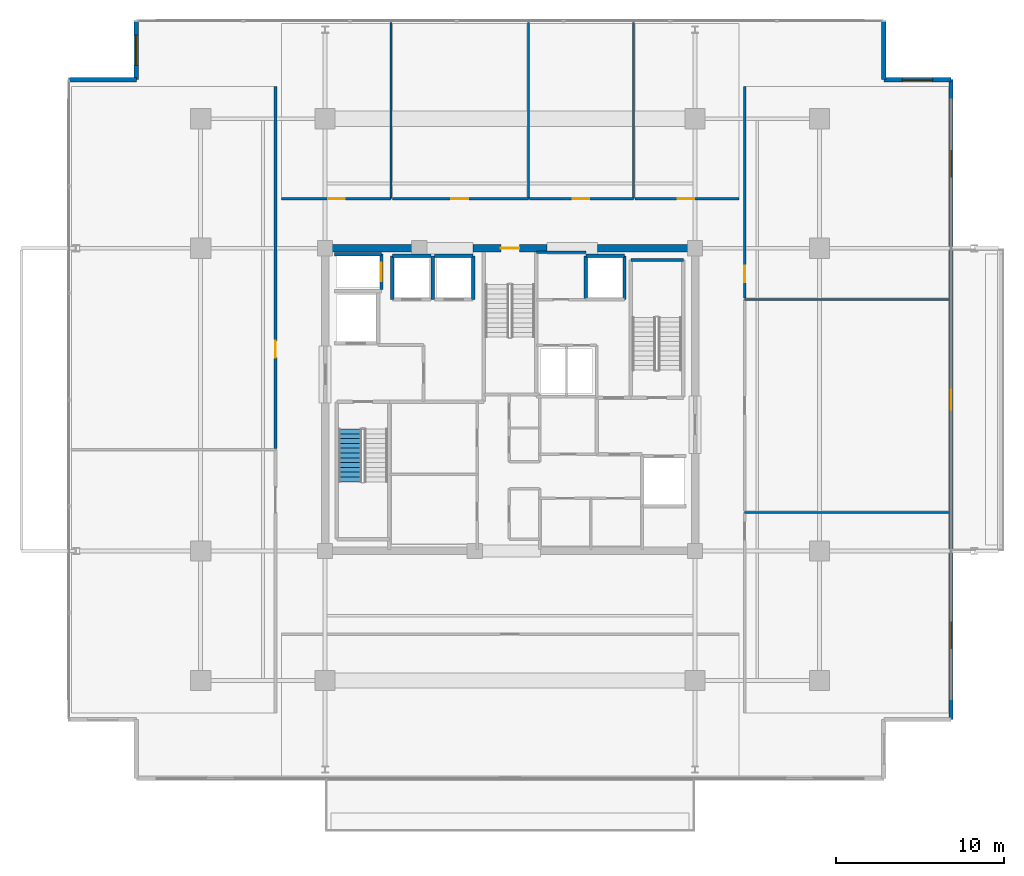
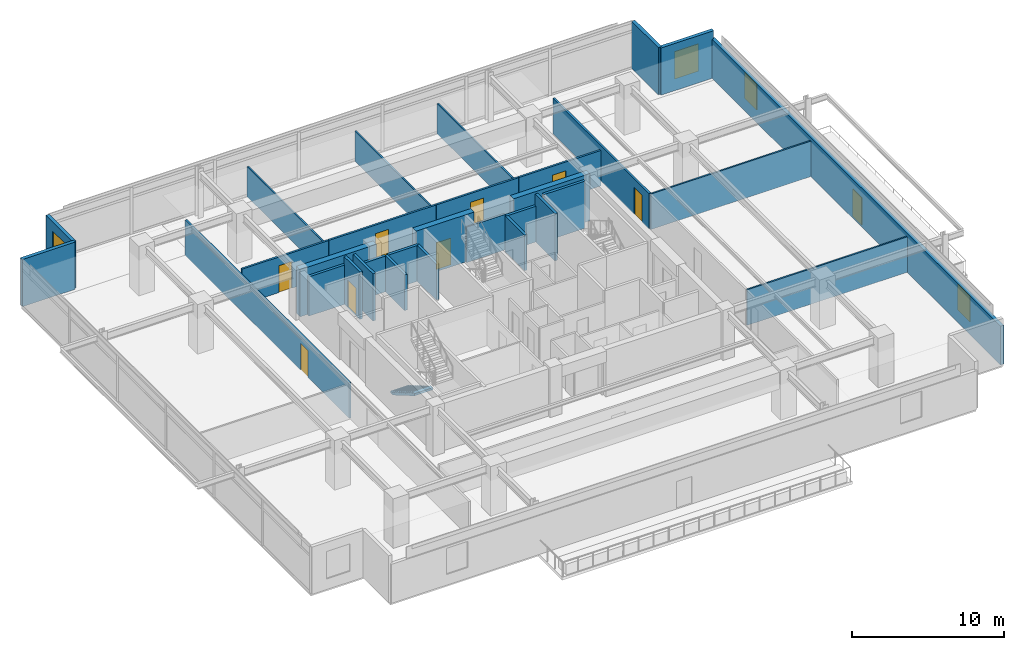
# One storey, part 18 of 23: 31 walls, 9 doors, 4 windows, 1 stair flight, 13 openings, 1 element without a shape of its own.
"""IFC4 building model written with IfcOpenShell, lengths in metres."""

from ifc_helpers import new_model, si_unit, direction, frame, frame_2d, origin, place, context, subcontext, project, spatial, polyline, rectangle, outline, extrude, material, layer, layer_set, type_object, element, fill, aggregate, save


model = new_model("IFC4")

# Units and contexts
model_context = context("Model", 3, precision=1e-05, world=origin(), true_north=direction((0.0, 1.0)))
body_context = subcontext(model_context, "Body", "Model", "MODEL_VIEW")
ifc_project = project(units=[si_unit("LENGTHUNIT", "METRE"), si_unit("AREAUNIT", "SQUARE_METRE"), si_unit("VOLUMEUNIT", "CUBIC_METRE"), si_unit("PLANEANGLEUNIT", "RADIAN"), si_unit("MASSUNIT", "GRAM", prefix="KILO")], contexts=[model_context])

# Site, building, storey
site_placement = place(None, origin())
site = spatial("IfcSite", under=ifc_project, at=site_placement, CompositionType="ELEMENT")
building_placement = place(site_placement, origin())
building = spatial("IfcBuilding", under=site, at=building_placement, Name="Kovane Verandah Tower", CompositionType="ELEMENT")
storey_placement = place(building_placement, frame((0.0, 0.0, 267.199951171875)))
storey = spatial("IfcBuildingStorey", under=building, at=storey_placement, Name="L62", CompositionType="ELEMENT", Elevation=267.199951171875)

# Wall
ifc_material_1 = material(Name="Fire-Rated Gypsum Stud Partition", Category="gypsum")
ifc_layer_1 = layer(ifc_material_1, 0.14990234375)
ifc_layer_set_1 = layer_set([ifc_layer_1], Name="Fire-Rated Gypsum Stud Partition")
wall_type_1 = type_object("IfcWallType", Name="WL-COR-150", PredefinedType="PARTITIONING", material=ifc_layer_set_1)
wall_1_placement = place(storey_placement, frame((41.56005859375, 36.25, 0.0), z_axis=(0.0, 0.0, 1.0), x_axis=(1.0, 0.0, 0.0)))
element("IfcWall", 1, at=wall_1_placement, inside=storey, type_object=wall_type_1, Name="L62 Sky Telecom Riser North Wall", PredefinedType="PARTITIONING", context=body_context, shape_type="SweptSolid", body=[
    extrude(rectangle(XDim=2.93994140625, YDim=0.14990234375, at=frame_2d((1.469970703125, 0.0))), origin(), (0.0, 0.0, 1.0), 2.85009765625),
])

# Wall, opening, door
wall_2_placement = place(storey_placement, frame((26.39990234375, 39.449951171875, 0.0), z_axis=(0.0, 0.0, 1.0), x_axis=(1.0, 0.0, 0.0)))
wall_2 = element("IfcWall", 2, at=wall_2_placement, inside=storey, type_object=wall_type_1, Name="L62 Breakout Pantry N1 Corridor Partition", PredefinedType="PARTITIONING", context=body_context, shape_type="SweptSolid", body=[
    extrude(rectangle(XDim=6.528076171875, YDim=0.14990234375, at=frame_2d((3.26416015625, 0.0))), origin(), (0.0, 0.0, 1.0), 2.85009765625),
])
opening_1_placement = place(wall_2_placement, frame((2.779052734375, 0.0, 0.0)))
opening_1 = element("IfcOpeningElement", 3, at=opening_1_placement, cuts=wall_2, Name="Opening DR-L62-022", PredefinedType="OPENING", context=body_context, shape_type="SweptSolid", body=[
    extrude(rectangle(XDim=1.0, YDim=2.14990234375, at=frame_2d((0.5, 1.074951171875))), frame((0.0, 0.074951171875, 0.0), z_axis=(0.0, -1.0, 0.0), x_axis=(1.0, 0.0, 0.0)), (0.0, 0.0, 1.0), 0.14990234375),
])
ifc_material_2 = material(Name="FSC Spotted-Gum Timber Fire-Rated Office Door", Category="wood")
door_type_1 = type_object("IfcDoorType", Name="DR-OFF-1000", OperationType="SINGLE_SWING_LEFT", PredefinedType="DOOR", material=ifc_material_2)
door_1_placement = place(opening_1_placement, origin())
door_1 = element("IfcDoor", 4, at=door_1_placement, inside=storey, type_object=door_type_1, Name="L62 Breakout Pantry N1 Entrance Door", OperationType="SINGLE_SWING_RIGHT", OverallHeight=2.14990234375, OverallWidth=1.0, PredefinedType="DOOR", context=body_context, shape_type="SweptSolid", body=[
    extrude(rectangle(XDim=1.0, YDim=2.14990234375, at=frame_2d((0.5, 1.074951171875))), frame((0.0, 0.02490234375, 0.0), z_axis=(0.0, -1.0, 0.0), x_axis=(1.0, 0.0, 0.0)), (0.0, 0.0, 1.0), 0.050048828125),
])
fill(opening_1, door_1)

wall_3_placement = place(storey_placement, frame((32.998046875, 39.449951171875, 0.0), z_axis=(0.0, 0.0, 1.0), x_axis=(1.0, 0.0, 0.0)))
wall_3 = element("IfcWall", 5, at=wall_3_placement, inside=storey, type_object=wall_type_1, Name="L62 Collaboration Hub N2 Corridor Partition", PredefinedType="PARTITIONING", context=body_context, shape_type="SweptSolid", body=[
    extrude(rectangle(XDim=8.08984375, YDim=0.14990234375, at=frame_2d((4.044921875, 0.0))), origin(), (0.0, 0.0, 1.0), 2.85009765625),
])
opening_2_placement = place(wall_3_placement, frame((3.510009765625, 0.0, 0.0)))
opening_2 = element("IfcOpeningElement", 6, at=opening_2_placement, cuts=wall_3, Name="Opening DR-L62-023", PredefinedType="OPENING", context=body_context, shape_type="SweptSolid", body=[
    extrude(rectangle(XDim=1.0, YDim=2.14990234375, at=frame_2d((0.5, 1.074951171875))), frame((0.0, 0.074951171875, 0.0), z_axis=(0.0, -1.0, 0.0), x_axis=(1.0, 0.0, 0.0)), (0.0, 0.0, 1.0), 0.14990234375),
])
door_2_placement = place(opening_2_placement, origin())
door_2 = element("IfcDoor", 7, at=door_2_placement, inside=storey, type_object=door_type_1, Name="L62 Collaboration Hub N2 Entrance Door", OperationType="SINGLE_SWING_LEFT", OverallHeight=2.14990234375, OverallWidth=1.0, PredefinedType="DOOR", context=body_context, shape_type="SweptSolid", body=[
    extrude(rectangle(XDim=1.0, YDim=2.14990234375, at=frame_2d((0.5, 1.074951171875))), frame((0.0, 0.02490234375, 0.0), z_axis=(0.0, -1.0, 0.0), x_axis=(1.0, 0.0, 0.0)), (0.0, 0.0, 1.0), 0.050048828125),
])
fill(opening_2, door_2)

wall_4_placement = place(storey_placement, frame((41.157958984375, 39.449951171875, 0.0), z_axis=(0.0, 0.0, 1.0), x_axis=(1.0, 0.0, 0.0)))
wall_4 = element("IfcWall", 8, at=wall_4_placement, inside=storey, type_object=wall_type_1, Name="L62 Document and Print Room N3 Corridor Partition", PredefinedType="PARTITIONING", context=body_context, shape_type="SweptSolid", body=[
    extrude(rectangle(XDim=6.18603515625, YDim=0.14990234375, at=frame_2d((3.093017578125, 0.0))), origin(), (0.0, 0.0, 1.0), 2.85009765625),
])
opening_3_placement = place(wall_4_placement, frame((2.55810546875, 0.0, 0.0)))
opening_3 = element("IfcOpeningElement", 9, at=opening_3_placement, cuts=wall_4, Name="Opening DR-L62-024", PredefinedType="OPENING", context=body_context, shape_type="SweptSolid", body=[
    extrude(rectangle(XDim=1.0, YDim=2.14990234375, at=frame_2d((0.5, 1.074951171875))), frame((0.0, 0.074951171875, 0.0), z_axis=(0.0, -1.0, 0.0), x_axis=(1.0, 0.0, 0.0)), (0.0, 0.0, 1.0), 0.14990234375),
])
door_3_placement = place(opening_3_placement, origin())
door_3 = element("IfcDoor", 10, at=door_3_placement, inside=storey, type_object=door_type_1, Name="L62 Document and Print Room N3 Entrance Door", OperationType="SINGLE_SWING_RIGHT", OverallHeight=2.14990234375, OverallWidth=1.0, PredefinedType="DOOR", context=body_context, shape_type="SweptSolid", body=[
    extrude(rectangle(XDim=1.0, YDim=2.14990234375, at=frame_2d((0.5, 1.074951171875))), frame((0.0, 0.02490234375, 0.0), z_axis=(0.0, -1.0, 0.0), x_axis=(1.0, 0.0, 0.0)), (0.0, 0.0, 1.0), 0.050048828125),
])
fill(opening_3, door_3)

wall_5_placement = place(storey_placement, frame((47.4140625, 39.449951171875, 0.0), z_axis=(0.0, 0.0, 1.0), x_axis=(1.0, 0.0, 0.0)))
wall_5 = element("IfcWall", 11, at=wall_5_placement, inside=storey, type_object=wall_type_1, Name="L62 Open Plan Office N4 Corridor Partition", PredefinedType="PARTITIONING", context=body_context, shape_type="SweptSolid", body=[
    extrude(rectangle(XDim=6.18603515625, YDim=0.14990234375, at=frame_2d((3.093017578125, 0.0))), origin(), (0.0, 0.0, 1.0), 2.85009765625),
])
opening_4_placement = place(wall_5_placement, frame((2.54296875, 0.0, 0.0)))
opening_4 = element("IfcOpeningElement", 12, at=opening_4_placement, cuts=wall_5, Name="Opening DR-L62-025", PredefinedType="OPENING", context=body_context, shape_type="SweptSolid", body=[
    extrude(rectangle(XDim=1.0, YDim=2.14990234375, at=frame_2d((0.5, 1.074951171875))), frame((0.0, 0.074951171875, 0.0), z_axis=(0.0, -1.0, 0.0), x_axis=(1.0, 0.0, 0.0)), (0.0, 0.0, 1.0), 0.14990234375),
])
door_4_placement = place(opening_4_placement, origin())
door_4 = element("IfcDoor", 13, at=door_4_placement, inside=storey, type_object=door_type_1, Name="L62 Open Plan Office N4 Entrance Door", OperationType="SINGLE_SWING_LEFT", OverallHeight=2.14990234375, OverallWidth=1.0, PredefinedType="DOOR", context=body_context, shape_type="SweptSolid", body=[
    extrude(rectangle(XDim=1.0, YDim=2.14990234375, at=frame_2d((0.5, 1.074951171875))), frame((0.0, 0.02490234375, 0.0), z_axis=(0.0, -1.0, 0.0), x_axis=(1.0, 0.0, 0.0)), (0.0, 0.0, 1.0), 0.050048828125),
])
fill(opening_4, door_4)

wall_6_placement = place(storey_placement, frame((26.050048828125, 24.59033203125, 0.0), z_axis=(0.0, 0.0, 1.0), x_axis=(0.0, 1.0, 0.0)))
wall_6 = element("IfcWall", 14, at=wall_6_placement, inside=storey, type_object=wall_type_1, Name="L62 Meeting Room W2 Corridor Partition", PredefinedType="PARTITIONING", context=body_context, shape_type="SweptSolid", body=[
    extrude(rectangle(XDim=21.532958984375, YDim=0.14990234375, at=frame_2d((10.7666015625, 0.0))), origin(), (0.0, 0.0, 1.0), 2.85009765625),
])
opening_5_placement = place(wall_6_placement, frame((5.40478515625, 0.0, 0.0)))
opening_5 = element("IfcOpeningElement", 15, at=opening_5_placement, cuts=wall_6, Name="Opening DR-L62-031", PredefinedType="OPENING", context=body_context, shape_type="SweptSolid", body=[
    extrude(rectangle(XDim=1.0, YDim=2.14990234375, at=frame_2d((0.5, 1.074951171875))), frame((0.0, 0.074951171875, 0.0), z_axis=(0.0, -1.0, 0.0), x_axis=(1.0, 0.0, 0.0)), (0.0, 0.0, 1.0), 0.14990234375),
])
door_5_placement = place(opening_5_placement, origin())
door_5 = element("IfcDoor", 16, at=door_5_placement, inside=storey, type_object=door_type_1, Name="L62 Meeting Room W2 Entrance Door", OperationType="SINGLE_SWING_RIGHT", OverallHeight=2.14990234375, OverallWidth=1.0, PredefinedType="DOOR", context=body_context, shape_type="SweptSolid", body=[
    extrude(rectangle(XDim=1.0, YDim=2.14990234375, at=frame_2d((0.5, 1.074951171875))), frame((0.0, 0.02490234375, 0.0), z_axis=(0.0, -1.0, 0.0), x_axis=(1.0, 0.0, 0.0)), (0.0, 0.0, 1.0), 0.050048828125),
])
fill(opening_5, door_5)

wall_7_placement = place(storey_placement, frame((53.949951171875, 33.529541015625, 0.0), z_axis=(0.0, 0.0, 1.0), x_axis=(0.0, 1.0, 0.0)))
wall_7 = element("IfcWall", 17, at=wall_7_placement, inside=storey, type_object=wall_type_1, Name="L62 Collaboration Hub E3 Corridor Partition", PredefinedType="PARTITIONING", context=body_context, shape_type="SweptSolid", body=[
    extrude(rectangle(XDim=12.59375, YDim=0.14990234375, at=frame_2d((6.296875, 0.0))), origin(), (0.0, 0.0, 1.0), 2.85009765625),
])
opening_6_placement = place(wall_7_placement, frame((0.935302734375, 0.0, 0.0)))
opening_6 = element("IfcOpeningElement", 18, at=opening_6_placement, cuts=wall_7, Name="Opening DR-L62-013", PredefinedType="OPENING", context=body_context, shape_type="SweptSolid", body=[
    extrude(rectangle(XDim=1.0, YDim=2.14990234375, at=frame_2d((0.5, 1.074951171875))), frame((0.0, 0.074951171875, 0.0), z_axis=(0.0, -1.0, 0.0), x_axis=(1.0, 0.0, 0.0)), (0.0, 0.0, 1.0), 0.14990234375),
])
door_6_placement = place(opening_6_placement, origin())
door_6 = element("IfcDoor", 19, at=door_6_placement, inside=storey, type_object=door_type_1, Name="L62 Collaboration Hub E3 Entrance Door", OperationType="SINGLE_SWING_LEFT", OverallHeight=2.14990234375, OverallWidth=1.0, PredefinedType="DOOR", context=body_context, shape_type="SweptSolid", body=[
    extrude(rectangle(XDim=1.0, YDim=2.14990234375, at=frame_2d((0.5, 1.074951171875))), frame((0.0, 0.02490234375, 0.0), z_axis=(0.0, -1.0, 0.0), x_axis=(1.0, 0.0, 0.0)), (0.0, 0.0, 1.0), 0.050048828125),
])
fill(opening_6, door_6)

# Wall
ifc_material_3 = material(Name="Concrete C60/75", Category="concrete")
ifc_layer_2 = layer(ifc_material_3, 0.449951171875)
ifc_layer_set_2 = layer_set([ifc_layer_2], Name="Concrete C60/75")
wall_type_2 = type_object("IfcWallType", Name="WL-CORE-450", PredefinedType="SHEAR", material=ifc_layer_set_2)
wall_8_placement = place(storey_placement, frame((29.0, 36.5, 0.0), z_axis=(0.0, 0.0, 1.0), x_axis=(1.0, 0.0, 0.0)))
element("IfcWall", 20, at=wall_8_placement, inside=storey, type_object=wall_type_2, Name="L62 Core Shear Wall CN-1", PredefinedType="SHEAR", context=body_context, shape_type="SweptSolid", body=[
    extrude(rectangle(XDim=5.800048828125, YDim=0.449951171875, at=frame_2d((2.89990234375, 0.0))), origin(), (0.0, 0.0, 1.0), 3.78515625),
])

# Wall, opening, door
wall_9_placement = place(storey_placement, frame((37.800048828125, 36.5, 0.0), z_axis=(0.0, 0.0, 1.0), x_axis=(1.0, 0.0, 0.0)))
wall_9 = element("IfcWall", 21, at=wall_9_placement, inside=storey, type_object=wall_type_2, Name="L62 Core Shear Wall CN-2", PredefinedType="SHEAR", context=body_context, shape_type="SweptSolid", body=[
    extrude(rectangle(XDim=4.39990234375, YDim=0.449951171875, at=frame_2d((2.199951171875, 0.0))), origin(), (0.0, 0.0, 1.0), 3.78515625),
])
opening_7_placement = place(wall_9_placement, frame((1.64990234375, 0.0, 0.0)))
opening_7 = element("IfcOpeningElement", 22, at=opening_7_placement, cuts=wall_9, Name="Opening DR-L62-010", PredefinedType="OPENING", context=body_context, shape_type="SweptSolid", body=[
    extrude(rectangle(XDim=1.10009765625, YDim=2.14990234375, at=frame_2d((0.550048828125, 1.074951171875))), frame((0.0, 0.22509765625, 0.0), z_axis=(0.0, -1.0, 0.0), x_axis=(1.0, 0.0, 0.0)), (0.0, 0.0, 1.0), 0.449951171875),
])
ifc_material_4 = material(Name="Fire-Rated Steel Exit Door", Category="steel")
door_type_2 = type_object("IfcDoorType", Name="DR-STAIR-1100", OperationType="SINGLE_SWING_LEFT", PredefinedType="DOOR", material=ifc_material_4)
door_7_placement = place(opening_7_placement, origin())
door_7 = element("IfcDoor", 23, at=door_7_placement, inside=storey, type_object=door_type_2, Name="L62 ST-03 Fire Exit Stair Door", OperationType="SINGLE_SWING_RIGHT", OverallHeight=2.14990234375, OverallWidth=1.10009765625, PredefinedType="DOOR", context=body_context, shape_type="SweptSolid", body=[
    extrude(rectangle(XDim=1.10009765625, YDim=2.14990234375, at=frame_2d((0.550048828125, 1.074951171875))), frame((0.0, 0.02490234375, 0.0), z_axis=(0.0, -1.0, 0.0), x_axis=(1.0, 0.0, 0.0)), (0.0, 0.0, 1.0), 0.050048828125),
])
fill(opening_7, door_7)

# Walls
wall_10_placement = place(storey_placement, frame((45.199951171875, 36.5, 0.0), z_axis=(0.0, 0.0, 1.0), x_axis=(1.0, 0.0, 0.0)))
element("IfcWall", 24, at=wall_10_placement, inside=storey, type_object=wall_type_2, Name="L62 Core Shear Wall CN-3", PredefinedType="SHEAR", context=body_context, shape_type="SweptSolid", body=[
    extrude(rectangle(XDim=5.800048828125, YDim=0.449951171875, at=frame_2d((2.89990234375, 0.0))), origin(), (0.0, 0.0, 1.0), 3.78515625),
])
ifc_material_5 = material(Name="Concrete C45/55 Lift Shaft Wall", Category="concrete")
ifc_layer_3 = layer(ifc_material_5, 0.199951171875)
ifc_layer_set_3 = layer_set([ifc_layer_3], Name="Concrete C45/55 Lift Shaft Wall")
wall_type_3 = type_object("IfcWallType", Name="WL-LIFT-200", PredefinedType="SOLIDWALL", material=ifc_layer_set_3)
wall_11_placement = place(storey_placement, frame((32.35009765625, 36.14990234375, 0.0), z_axis=(0.0, 0.0, 1.0), x_axis=(-1.0, 0.0, 0.0)))
element("IfcWall", 25, at=wall_11_placement, inside=storey, type_object=wall_type_3, Name="L62 Lift GL-01 N Shaft Wall", PredefinedType="SOLIDWALL", context=body_context, shape_type="SweptSolid", body=[
    extrude(rectangle(XDim=2.800048828125, YDim=0.199951171875, at=frame_2d((1.39990234375, 0.0))), origin(), (0.0, 0.0, 1.0), 3.14794921875),
])

# Wall, opening, door
wall_12_placement = place(storey_placement, frame((32.35009765625, 34.050048828125, 0.0), z_axis=(0.0, 0.0, 1.0), x_axis=(0.0, 1.0, 0.0)))
wall_12 = element("IfcWall", 26, at=wall_12_placement, inside=storey, type_object=wall_type_3, Name="L62 Lift GL-01 E Shaft Wall", PredefinedType="SOLIDWALL", context=body_context, shape_type="SweptSolid", body=[
    extrude(rectangle(XDim=2.099853515625, YDim=0.199951171875, at=frame_2d((1.0498046875, 0.0))), origin(), (0.0, 0.0, 1.0), 3.78515625),
])
opening_8_placement = place(wall_12_placement, frame((0.5, 0.0, 0.0)))
opening_8 = element("IfcOpeningElement", 27, at=opening_8_placement, cuts=wall_12, Name="Opening LD-L62-003", PredefinedType="OPENING", context=body_context, shape_type="SweptSolid", body=[
    extrude(rectangle(XDim=1.10009765625, YDim=2.199951171875, at=frame_2d((0.550048828125, 1.10009765625))), frame((0.0, 0.10009765625, 0.0), z_axis=(0.0, -1.0, 0.0), x_axis=(1.0, 0.0, 0.0)), (0.0, 0.0, 1.0), 0.199951171875),
])
ifc_material_6 = material(Name="Brushed Stainless Steel Sliding Lift Landing Door", Category="steel")
door_type_3 = type_object("IfcDoorType", Name="DR-LIFT-1100", OperationType="SLIDING_TO_RIGHT", PredefinedType="DOOR", material=ifc_material_6)
door_8_placement = place(opening_8_placement, origin())
door_8 = element("IfcDoor", 28, at=door_8_placement, inside=storey, type_object=door_type_3, Name="L62 Lift GL-01 Sliding Landing Door", OperationType="SLIDING_TO_RIGHT", OverallHeight=2.199951171875, OverallWidth=1.10009765625, PredefinedType="DOOR", context=body_context, shape_type="SweptSolid", body=[
    extrude(rectangle(XDim=1.10009765625, YDim=2.199951171875, at=frame_2d((0.550048828125, 1.10009765625))), frame((0.0, 0.02490234375, 0.0), z_axis=(0.0, -1.0, 0.0), x_axis=(1.0, 0.0, 0.0)), (0.0, 0.0, 1.0), 0.050048828125),
])
fill(opening_8, door_8)

# Walls
wall_13_placement = place(storey_placement, frame((35.300048828125, 36.050048828125, 0.0), z_axis=(0.0, 0.0, 1.0), x_axis=(-1.0, 0.0, 0.0)))
element("IfcWall", 29, at=wall_13_placement, inside=storey, type_object=wall_type_3, Name="L62 Lift PL-H1 N Shaft Wall", PredefinedType="SOLIDWALL", context=body_context, shape_type="SweptSolid", body=[
    extrude(rectangle(XDim=2.300048828125, YDim=0.199951171875, at=frame_2d((1.14990234375, 0.0))), origin(), (0.0, 0.0, 1.0), 2.864990234375),
])
wall_14_placement = place(storey_placement, frame((33.0, 36.050048828125, 0.0), z_axis=(0.0, 0.0, 1.0), x_axis=(0.0, -1.0, 0.0)))
element("IfcWall", 30, at=wall_14_placement, inside=storey, type_object=wall_type_3, Name="L62 Lift PL-H1 W Shaft Wall", PredefinedType="SOLIDWALL", context=body_context, shape_type="SweptSolid", body=[
    extrude(rectangle(XDim=2.60009765625, YDim=0.199951171875, at=frame_2d((1.300048828125, 0.0))), origin(), (0.0, 0.0, 1.0), 3.78515625),
])
wall_15_placement = place(storey_placement, frame((35.39990234375, 33.449951171875, 0.0), z_axis=(0.0, 0.0, 1.0), x_axis=(0.0, 1.0, 0.0)))
element("IfcWall", 31, at=wall_15_placement, inside=storey, type_object=wall_type_3, Name="L62 Lift PL-H1 and PL-H2 Shared Shaft Wall", PredefinedType="SOLIDWALL", context=body_context, shape_type="SweptSolid", body=[
    extrude(rectangle(XDim=2.60009765625, YDim=0.199951171875, at=frame_2d((1.300048828125, 0.0))), origin(), (0.0, 0.0, 1.0), 2.864990234375),
])
wall_16_placement = place(storey_placement, frame((37.800048828125, 36.050048828125, 0.0), z_axis=(0.0, 0.0, 1.0), x_axis=(-1.0, 0.0, 0.0)))
element("IfcWall", 32, at=wall_16_placement, inside=storey, type_object=wall_type_3, Name="L62 Lift PL-H2 N Shaft Wall", PredefinedType="SOLIDWALL", context=body_context, shape_type="SweptSolid", body=[
    extrude(rectangle(XDim=2.300048828125, YDim=0.199951171875, at=frame_2d((1.14990234375, 0.0))), origin(), (0.0, 0.0, 1.0), 2.864990234375),
])
wall_17_placement = place(storey_placement, frame((37.800048828125, 33.449951171875, 0.0), z_axis=(0.0, 0.0, 1.0), x_axis=(0.0, 1.0, 0.0)))
element("IfcWall", 33, at=wall_17_placement, inside=storey, type_object=wall_type_3, Name="L62 Lift PL-H2 E Shaft Wall", PredefinedType="SOLIDWALL", context=body_context, shape_type="SweptSolid", body=[
    extrude(rectangle(XDim=2.60009765625, YDim=0.199951171875, at=frame_2d((1.300048828125, 0.0))), origin(), (0.0, 0.0, 1.0), 2.864990234375),
])
wall_18_placement = place(storey_placement, frame((46.800048828125, 36.050048828125, 0.0), z_axis=(0.0, 0.0, 1.0), x_axis=(-1.0, 0.0, 0.0)))
element("IfcWall", 34, at=wall_18_placement, inside=storey, type_object=wall_type_3, Name="L62 Lift OL-01 N Shaft Wall", PredefinedType="SOLIDWALL", context=body_context, shape_type="SweptSolid", body=[
    extrude(rectangle(XDim=2.300048828125, YDim=0.199951171875, at=frame_2d((1.14990234375, 0.0))), origin(), (0.0, 0.0, 1.0), 2.864990234375),
])
wall_19_placement = place(storey_placement, frame((44.5, 36.050048828125, 0.0), z_axis=(0.0, 0.0, 1.0), x_axis=(0.0, -1.0, 0.0)))
element("IfcWall", 35, at=wall_19_placement, inside=storey, type_object=wall_type_3, Name="L62 Lift OL-01 W Shaft Wall", PredefinedType="SOLIDWALL", context=body_context, shape_type="SweptSolid", body=[
    extrude(rectangle(XDim=2.60009765625, YDim=0.199951171875, at=frame_2d((1.300048828125, 0.0))), origin(), (0.0, 0.0, 1.0), 2.864990234375),
])
wall_20_placement = place(storey_placement, frame((46.800048828125, 33.449951171875, 0.0), z_axis=(0.0, 0.0, 1.0), x_axis=(0.0, 1.0, 0.0)))
element("IfcWall", 36, at=wall_20_placement, inside=storey, type_object=wall_type_3, Name="L62 Lift OL-01 E Shaft Wall", PredefinedType="SOLIDWALL", context=body_context, shape_type="SweptSolid", body=[
    extrude(rectangle(XDim=2.60009765625, YDim=0.199951171875, at=frame_2d((1.300048828125, 0.0))), origin(), (0.0, 0.0, 1.0), 3.78515625),
])
ifc_material_7 = material(Name="Acoustic Fire-Rated Gypsum Partition", Category="gypsum")
ifc_layer_4 = layer(ifc_material_7, 0.1201171875)
ifc_layer_set_4 = layer_set([ifc_layer_4], Name="Acoustic Fire-Rated Gypsum Partition")
wall_type_4 = type_object("IfcWallType", Name="WL-PART-120", PredefinedType="PARTITIONING", material=ifc_layer_set_4)
for number, where, z_axis, x_axis, name in (
    (37, (32.927978515625, 39.449951171875, 0.0), (0.0, 0.0, 1.0), (0.0, 1.0, 0.0), "L62 Breakout Pantry N1 Dividing Partition"),
    (38, (41.087890625, 39.449951171875, 0.0), (0.0, 0.0, 1.0), (0.0, 1.0, 0.0), "L62 Collaboration Hub N2 Dividing Partition"),
    (39, (47.343994140625, 39.449951171875, 0.0), (0.0, 0.0, 1.0), (0.0, 1.0, 0.0), "L62 Document and Print Room N3 Dividing Partition"),
):
    element("IfcWall", number, at=place(storey_placement, frame(where, z_axis=z_axis, x_axis=x_axis)), inside=storey, type_object=wall_type_4, Name=name, PredefinedType="PARTITIONING", context=body_context, shape_type="SweptSolid", body=[
        extrude(rectangle(XDim=10.473388671875, YDim=0.1201171875, at=frame_2d((5.23681640625, 0.0))), origin(), (0.0, 0.0, 1.0), 2.4150390625),
    ])
for number, where, z_axis, x_axis, name in (
    (40, (53.949951171875, 20.795654296875, 0.0), (0.0, 0.0, 1.0), (1.0, 0.0, 0.0), "L62 Focus Studio E1 Dividing Partition"),
    (41, (53.949951171875, 33.45947265625, 0.0), (0.0, 0.0, 1.0), (1.0, 0.0, 0.0), "L62 Breakout Pantry E2 Dividing Partition"),
):
    element("IfcWall", number, at=place(storey_placement, frame(where, z_axis=z_axis, x_axis=x_axis)), inside=storey, type_object=wall_type_4, Name=name, PredefinedType="PARTITIONING", context=body_context, shape_type="SweptSolid", body=[
        extrude(rectangle(XDim=12.170654296875, YDim=0.1201171875, at=frame_2d((6.08544921875, 0.0))), origin(), (0.0, 0.0, 1.0), 2.85009765625),
    ])
ifc_material_8 = material(Name="Concrete C45/55", Category="concrete")
ifc_layer_5 = layer(ifc_material_8, 0.199951171875)
ifc_layer_set_5 = layer_set([ifc_layer_5], Name="Concrete C45/55")
wall_type_5 = type_object("IfcWallType", Name="WL-SHAFT-200", PredefinedType="SOLIDWALL", material=ifc_layer_set_5)
wall_21_placement = place(storey_placement, frame((47.179931640625, 35.800048828125, 0.0), z_axis=(0.0, 0.0, 1.0), x_axis=(1.0, 0.0, 0.0)))
element("IfcWall", 42, at=wall_21_placement, inside=storey, type_object=wall_type_5, Name="W-L62-ST02-N", PredefinedType="SOLIDWALL", context=body_context, shape_type="SweptSolid", body=[
    extrude(rectangle(XDim=3.1201171875, YDim=0.199951171875, at=frame_2d((1.56005859375, 0.0))), origin(), (0.0, 0.0, 1.0), 3.78515625),
])

# Wall, openings, door, windows
ifc_material_9 = material(Name="Concrete C45/55 Insulated Spandrel Wall", Category="concrete")
ifc_layer_6 = layer(ifc_material_9, 0.260009765625)
ifc_layer_set_6 = layer_set([ifc_layer_6], Name="Concrete C45/55 Insulated Spandrel Wall")
wall_type_6 = type_object("IfcWallType", Name="WL-SPANDREL-260", PredefinedType="PARAPET", material=ifc_layer_set_6)
wall_22_placement = place(storey_placement, frame((66.220703125, 8.4765625, 0.0), z_axis=(0.0, 0.0, 1.0), x_axis=(0.0, 1.0, 0.0)))
wall_22 = element("IfcWall", 43, at=wall_22_placement, inside=storey, type_object=wall_type_6, Name="L62 E Verandah Access Facade Wall", PredefinedType="PARAPET", context=body_context, shape_type="SweptSolid", body=[
    extrude(rectangle(XDim=38.046875, YDim=0.260009765625, at=frame_2d((19.0234375, 0.0))), origin(), (0.0, 0.0, 1.0), 3.122802734375),
])
opening_9_placement = place(wall_22_placement, frame((4.199951171875, 0.0, 0.85009765625)))
opening_9 = element("IfcOpeningElement", 44, at=opening_9_placement, cuts=wall_22, Name="Opening W-02", PredefinedType="OPENING", context=body_context, shape_type="SweptSolid", body=[
    extrude(rectangle(XDim=1.60009765625, YDim=2.10009765625, at=frame_2d((0.800048828125, 1.050048828125))), frame((0.0, 0.1298828125, 0.0), z_axis=(0.0, -1.0, 0.0), x_axis=(1.0, 0.0, 0.0)), (0.0, 0.0, 1.0), 0.260009765625),
])
opening_10_placement = place(wall_22_placement, frame((18.42333984375, 0.0, 0.0)))
opening_10 = element("IfcOpeningElement", 45, at=opening_10_placement, cuts=wall_22, Name="Opening DR-L62-001", PredefinedType="OPENING", context=body_context, shape_type="SweptSolid", body=[
    extrude(rectangle(XDim=1.199951171875, YDim=2.199951171875, at=frame_2d((0.60009765625, 1.10009765625))), frame((0.0, 0.1298828125, 0.0), z_axis=(0.0, -1.0, 0.0), x_axis=(1.0, 0.0, 0.0)), (0.0, 0.0, 1.0), 0.260009765625),
])
opening_11_placement = place(wall_22_placement, frame((32.246826171875, 0.0, 0.85009765625)))
opening_11 = element("IfcOpeningElement", 46, at=opening_11_placement, cuts=wall_22, Name="Opening W-02", PredefinedType="OPENING", context=body_context, shape_type="SweptSolid", body=[
    extrude(rectangle(XDim=1.60009765625, YDim=2.10009765625, at=frame_2d((0.800048828125, 1.050048828125))), frame((0.0, 0.1298828125, 0.0), z_axis=(0.0, -1.0, 0.0), x_axis=(1.0, 0.0, 0.0)), (0.0, 0.0, 1.0), 0.260009765625),
])
ifc_material_10 = material(Name="Cyclone-Rated Glazed Balcony Leaf Door", Category="aluminium")
door_type_4 = type_object("IfcDoorType", Name="DR-BAL-1200x2200", OperationType="SINGLE_SWING_LEFT", PredefinedType="DOOR", material=ifc_material_10)
door_9_placement = place(opening_10_placement, origin())
door_9 = element("IfcDoor", 47, at=door_9_placement, inside=storey, type_object=door_type_4, Name="L62 E Planted Balcony Access Door", OperationType="SINGLE_SWING_LEFT", OverallHeight=2.199951171875, OverallWidth=1.199951171875, PredefinedType="DOOR", context=body_context, shape_type="SweptSolid", body=[
    extrude(rectangle(XDim=1.199951171875, YDim=2.199951171875, at=frame_2d((0.60009765625, 1.10009765625))), frame((0.0, 0.02490234375, 0.0), z_axis=(0.0, -1.0, 0.0), x_axis=(1.0, 0.0, 0.0)), (0.0, 0.0, 1.0), 0.050048828125),
])
fill(opening_10, door_9)
ifc_material_11 = material(Name="Clear Low-E Laminated Double Glazing in Anodised Frame", Category="glass")
window_type_1 = type_object("IfcWindowType", Name="WN-OPER-1600x2100", PartitioningType="SINGLE_PANEL", PredefinedType="WINDOW", material=ifc_material_11)
window_1_placement = place(opening_9_placement, origin())
window_1 = element("IfcWindow", 48, at=window_1_placement, inside=storey, type_object=window_type_1, Name="L62 E Verandah View Window 1", OverallHeight=2.10009765625, OverallWidth=1.60009765625, PartitioningType="SINGLE_PANEL", PredefinedType="WINDOW", context=body_context, shape_type="SweptSolid", body=[
    extrude(rectangle(XDim=1.60009765625, YDim=2.10009765625, at=frame_2d((0.800048828125, 1.050048828125))), frame((0.0, 0.030029296875, 0.0), z_axis=(0.0, -1.0, 0.0), x_axis=(1.0, 0.0, 0.0)), (0.0, 0.0, 1.0), 0.06005859375),
])
fill(opening_9, window_1)
window_2_placement = place(opening_11_placement, origin())
window_2 = element("IfcWindow", 49, at=window_2_placement, inside=storey, type_object=window_type_1, Name="L62 E Verandah View Window 2", OverallHeight=2.10009765625, OverallWidth=1.60009765625, PartitioningType="SINGLE_PANEL", PredefinedType="WINDOW", context=body_context, shape_type="SweptSolid", body=[
    extrude(rectangle(XDim=1.60009765625, YDim=2.10009765625, at=frame_2d((0.800048828125, 1.050048828125))), frame((0.0, 0.030029296875, 0.0), z_axis=(0.0, -1.0, 0.0), x_axis=(1.0, 0.0, 0.0)), (0.0, 0.0, 1.0), 0.06005859375),
])
fill(opening_11, window_2)

# Wall, opening, window
wall_23_placement = place(storey_placement, frame((66.220703125, 46.5234375, 0.0), z_axis=(0.0, 0.0, 1.0), x_axis=(-1.0, 0.0, 0.0)))
wall_23 = element("IfcWall", 50, at=wall_23_placement, inside=storey, type_object=wall_type_6, Name="L62 NE Notch Cheek Wall 1", PredefinedType="PARAPET", context=body_context, shape_type="SweptSolid", body=[
    extrude(rectangle(XDim=4.0, YDim=0.260009765625, at=frame_2d((2.0, 0.0))), origin(), (0.0, 0.0, 1.0), 3.78515625),
])
opening_12_placement = place(wall_23_placement, frame((1.10009765625, 0.0, 0.85009765625)))
opening_12 = element("IfcOpeningElement", 51, at=opening_12_placement, cuts=wall_23, Name="Opening W-03", PredefinedType="OPENING", context=body_context, shape_type="SweptSolid", body=[
    extrude(rectangle(XDim=1.800048828125, YDim=2.199951171875, at=frame_2d((0.89990234375, 1.10009765625))), frame((0.0, 0.1298828125, 0.0), z_axis=(0.0, -1.0, 0.0), x_axis=(1.0, 0.0, 0.0)), (0.0, 0.0, 1.0), 0.260009765625),
])
window_type_2 = type_object("IfcWindowType", Name="WN-NOTCH-1800x2200", PartitioningType="SINGLE_PANEL", PredefinedType="WINDOW", material=ifc_material_11)
window_3_placement = place(opening_12_placement, origin())
window_3 = element("IfcWindow", 52, at=window_3_placement, inside=storey, type_object=window_type_2, Name="L62 NE Re-Entrant Corner Operable Window", OverallHeight=2.199951171875, OverallWidth=1.800048828125, PartitioningType="SINGLE_PANEL", PredefinedType="WINDOW", context=body_context, shape_type="SweptSolid", body=[
    extrude(rectangle(XDim=1.800048828125, YDim=2.199951171875, at=frame_2d((0.89990234375, 1.10009765625))), frame((0.0, 0.030029296875, 0.0), z_axis=(0.0, -1.0, 0.0), x_axis=(1.0, 0.0, 0.0)), (0.0, 0.0, 1.0), 0.06005859375),
])
fill(opening_12, window_3)

# Wall
wall_24_placement = place(storey_placement, frame((62.220703125, 46.5234375, 0.0), z_axis=(0.0, 0.0, 1.0), x_axis=(0.0, 1.0, 0.0)))
element("IfcWall", 53, at=wall_24_placement, inside=storey, type_object=wall_type_6, Name="L62 NE Notch Cheek Wall 2", PredefinedType="PARAPET", context=body_context, shape_type="SweptSolid", body=[
    extrude(rectangle(XDim=3.5, YDim=0.260009765625, at=frame_2d((1.75, 0.0))), origin(), (0.0, 0.0, 1.0), 3.78515625),
])

# Wall, opening, window
wall_25_placement = place(storey_placement, frame((17.779296875, 50.0234375, 0.0), z_axis=(0.0, 0.0, 1.0), x_axis=(0.0, -1.0, 0.0)))
wall_25 = element("IfcWall", 54, at=wall_25_placement, inside=storey, type_object=wall_type_6, Name="L62 NW Notch Cheek Wall 1", PredefinedType="PARAPET", context=body_context, shape_type="SweptSolid", body=[
    extrude(rectangle(XDim=3.5, YDim=0.260009765625, at=frame_2d((1.75, 0.0))), origin(), (0.0, 0.0, 1.0), 3.78515625),
])
opening_13_placement = place(wall_25_placement, frame((0.85009765625, 0.0, 0.85009765625)))
opening_13 = element("IfcOpeningElement", 55, at=opening_13_placement, cuts=wall_25, Name="Opening W-03", PredefinedType="OPENING", context=body_context, shape_type="SweptSolid", body=[
    extrude(rectangle(XDim=1.800048828125, YDim=2.199951171875, at=frame_2d((0.89990234375, 1.10009765625))), frame((0.0, 0.1298828125, 0.0), z_axis=(0.0, -1.0, 0.0), x_axis=(1.0, 0.0, 0.0)), (0.0, 0.0, 1.0), 0.260009765625),
])
window_4_placement = place(opening_13_placement, origin())
window_4 = element("IfcWindow", 56, at=window_4_placement, inside=storey, type_object=window_type_2, Name="L62 NW Re-Entrant Corner Operable Window", OverallHeight=2.199951171875, OverallWidth=1.800048828125, PartitioningType="SINGLE_PANEL", PredefinedType="WINDOW", context=body_context, shape_type="SweptSolid", body=[
    extrude(rectangle(XDim=1.800048828125, YDim=2.199951171875, at=frame_2d((0.89990234375, 1.10009765625))), frame((0.0, 0.030029296875, 0.0), z_axis=(0.0, -1.0, 0.0), x_axis=(1.0, 0.0, 0.0)), (0.0, 0.0, 1.0), 0.06005859375),
])
fill(opening_13, window_4)

# Wall
wall_26_placement = place(storey_placement, frame((17.779296875, 46.5234375, 0.0), z_axis=(0.0, 0.0, 1.0), x_axis=(-1.0, 0.0, 0.0)))
element("IfcWall", 57, at=wall_26_placement, inside=storey, type_object=wall_type_6, Name="L62 NW Notch Cheek Wall 2", PredefinedType="PARAPET", context=body_context, shape_type="SweptSolid", body=[
    extrude(rectangle(XDim=4.0, YDim=0.260009765625, at=frame_2d((2.0, 0.0))), origin(), (0.0, 0.0, 1.0), 3.78515625),
])

# Stair, stair flight
stair_type = type_object("IfcStairType", Name="ST-CORE-1380", PredefinedType="HALF_TURN_STAIR", material=ifc_material_8)
stair_placement = place(storey_placement, origin())
stair = element("IfcStair", 58, at=stair_placement, inside=storey, type_object=stair_type, Name="L62 Exit Stair ST-01", PredefinedType="HALF_TURN_STAIR")
stair_flight_type = type_object("IfcStairFlightType", Name="STF-CORE-1380", PredefinedType="STRAIGHT", material=ifc_material_8)
stair_flight_placement = place(storey_placement, frame((30.489990234375, 25.75, 0.0), z_axis=(0.0, 0.0, 1.0), x_axis=(0.0, -1.0, 0.0)))
stair_flight = element("IfcStairFlight", 59, at=stair_flight_placement, type_object=stair_flight_type, Name="ST-01 flight 1", NumberOfRisers=12, NumberOfTreads=11, PredefinedType="STRAIGHT", RiserHeight=0.166666667, TreadLength=0.285, context=body_context, shape_type="SweptSolid", body=[
    extrude(outline(polyline([(0.0, 0.0), (0.0, 0.166748046875), (0.284912109375, 0.166748046875), (0.284912109375, 0.333251953125), (0.570068359375, 0.333251953125), (0.570068359375, 0.5), (0.85498046875, 0.5), (0.85498046875, 0.666748046875), (1.139892578125, 0.666748046875), (1.139892578125, 0.833251953125), (1.425048828125, 0.833251953125), (1.425048828125, 1.0), (1.7099609375, 1.0), (1.7099609375, 1.166748046875), (1.9951171875, 1.166748046875), (1.9951171875, 1.333251953125), (2.280029296875, 1.333251953125), (2.280029296875, 1.5), (2.56494140625, 1.5), (2.56494140625, 1.666748046875), (2.85009765625, 1.666748046875), (2.85009765625, 1.833251953125), (3.135009765625, 1.833251953125), (3.135009765625, 2.0), (3.135009765625, 1.65966796875), (0.296875, 0.0), (0.0, 0.0)])), frame((0.0, 0.68994140625, 0.0), z_axis=(0.0, -1.0, 0.0), x_axis=(1.0, 0.0, 0.0)), (0.0, 0.0, 1.0), 1.3798828125),
])
aggregate(stair, [stair_flight])

save(model, "model.ifc")
